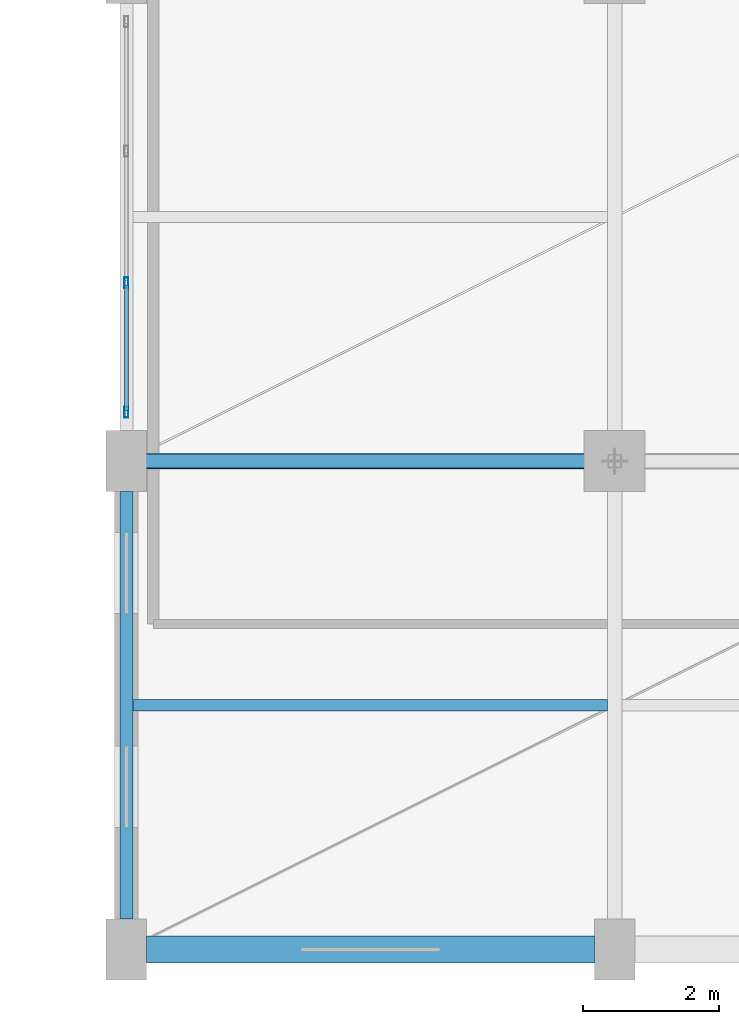
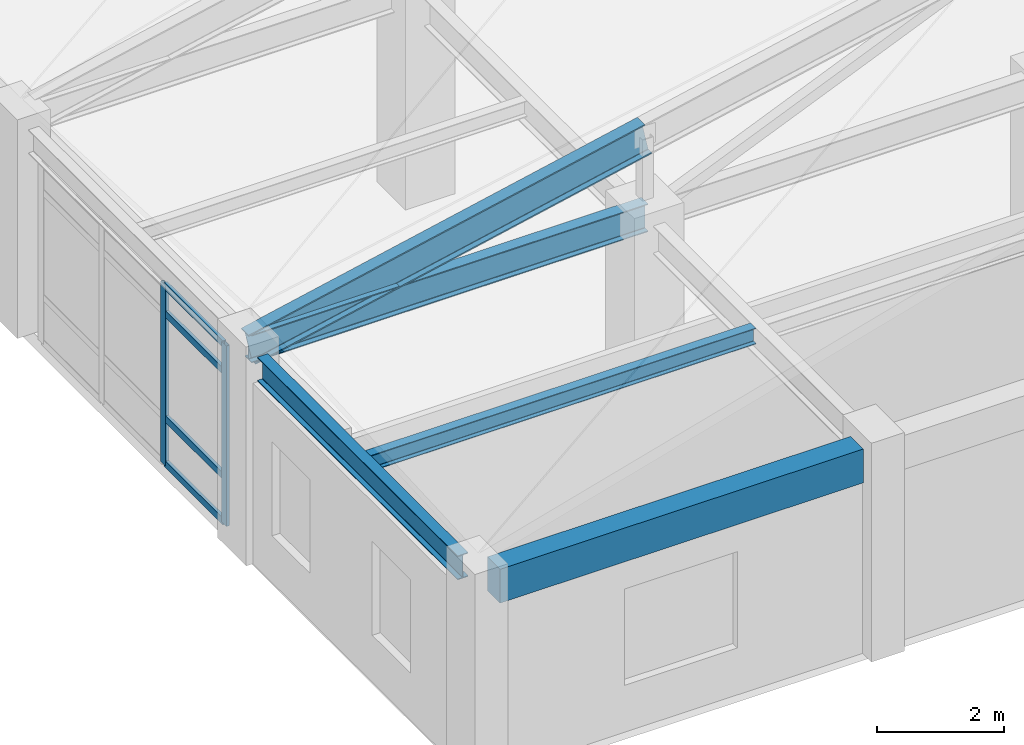
# One storey, part 28 of 113: 7 members, 4 beams, 1 element without a shape of its own.
"""IFC4 building model written with IfcOpenShell, lengths in metres."""

from ifc_helpers import new_model, si_unit, direction, frame, origin, origin_2d, place, context, subcontext, project, spatial, rectangle, hollow_rectangle, i_section, extrude, material, layer, layer_set, material_profile, profile_set, type_object, element, aggregate, save


model = new_model("IFC4")

# Units and contexts
model_context = context("Model", 3, precision=1e-05, world=origin(), true_north=direction((0.0, 1.0)))
body_context = subcontext(model_context, "Body", "Model", "MODEL_VIEW")
ifc_project = project(units=[si_unit("LENGTHUNIT", "METRE"), si_unit("AREAUNIT", "SQUARE_METRE"), si_unit("VOLUMEUNIT", "CUBIC_METRE"), si_unit("PLANEANGLEUNIT", "RADIAN"), si_unit("MASSUNIT", "GRAM", prefix="KILO")], contexts=[model_context])

# Site, building, storey
site_placement = place(None, origin())
site = spatial("IfcSite", under=ifc_project, at=site_placement, CompositionType="ELEMENT")
building_placement = place(site_placement, origin())
building = spatial("IfcBuilding", under=site, at=building_placement, Name="Carrowvane Square Congress Hotel", CompositionType="ELEMENT")
storey_placement = place(building_placement, frame((0.0, 0.0, 15.0)))
storey = spatial("IfcBuildingStorey", under=building, at=storey_placement, Name="L03", CompositionType="ELEMENT", Elevation=15.0)

# Beams
ifc_material_1 = material(Name="Steel S355", Category="steel")
ifc_material_profile_1 = material_profile(ifc_material_1, i_section(OverallWidth=0.165771484375, OverallDepth=0.306640625, WebThickness=0.006591796875, FlangeThickness=0.01171875, FilletRadius=0.0087890625, at=origin_2d()), Name="UKB 305x165x46")
ifc_profile_set_1 = profile_set([ifc_material_profile_1], Name="Steel S355")
beam_type_1 = type_object("IfcBeamType", Name="BM-ST-UKB305", PredefinedType="JOIST", material=ifc_profile_set_1)
beam_1_placement = place(storey_placement, frame((134.095703125, 9.0, 3.78662109375), z_axis=(1.0, 0.0, 0.0), x_axis=(0.0, 1.0, 0.0)))
element("IfcBeam", 1, at=beam_1_placement, inside=storey, type_object=beam_type_1, Name="L04 secondary joist 18-19", PredefinedType="JOIST", context=body_context, shape_type="SweptSolid", body=[
    extrude(i_section(OverallWidth=0.165771484375, OverallDepth=0.306640625, WebThickness=0.006591796875, FlangeThickness=0.01171875, FilletRadius=0.0087890625, at=origin_2d()), origin(), (0.0, 0.0, 1.0), 6.999267578125),
])
ifc_material_2 = material(Name="Steel S355", Category="steel")
ifc_material_profile_2 = material_profile(ifc_material_2, i_section(OverallWidth=0.19140625, OverallDepth=0.4599609375, WebThickness=0.010009765625, FlangeThickness=0.01611328125, FilletRadius=0.01025390625, at=origin_2d()), Name="UKB 457x191x82")
ifc_profile_set_2 = profile_set([ifc_material_profile_2], Name="Steel S355")
beam_type_2 = type_object("IfcBeamType", Name="BM-ST-UKB457", PredefinedType="SPANDREL", material=ifc_profile_set_2)
beam_2_placement = place(storey_placement, frame((134.0, 5.85009765625, 3.7099609375), z_axis=(0.0, 1.0, 0.0), x_axis=(-1.0, 0.0, 0.0)))
element("IfcBeam", 2, at=beam_2_placement, inside=storey, type_object=beam_type_2, Name="L04 girder 18/A-B", PredefinedType="SPANDREL", context=body_context, shape_type="SweptSolid", body=[
    extrude(i_section(OverallWidth=0.19140625, OverallDepth=0.4599609375, WebThickness=0.010009765625, FlangeThickness=0.01611328125, FilletRadius=0.01025390625, at=origin_2d()), origin(), (0.0, 0.0, 1.0), 6.2998046875),
])
ifc_material_3 = material(Name="Steel S355", Category="steel")
ifc_material_profile_3 = material_profile(ifc_material_3, i_section(OverallWidth=0.2099609375, OverallDepth=0.53662109375, WebThickness=0.0107421875, FlangeThickness=0.017333984375, FilletRadius=0.0126953125, at=origin_2d()), Name="UKB 533x210x101")
ifc_profile_set_3 = profile_set([ifc_material_profile_3], Name="Steel S355")
beam_type_3 = type_object("IfcBeamType", Name="BM-ST-UKB533", PredefinedType="USERDEFINED", material=ifc_profile_set_3)
beam_3_placement = place(storey_placement, frame((134.0, 12.60009765625, 3.85009765625), z_axis=(1.0, 0.0, 0.0), x_axis=(0.0, 1.0, 0.0)))
element("IfcBeam", 3, at=beam_3_placement, inside=storey, type_object=beam_type_3, Name="V2 pavilion truss west tie girder 1", ObjectType="GIRDER", PredefinedType="USERDEFINED", context=body_context, shape_type="SweptSolid", body=[
    extrude(i_section(OverallWidth=0.2099609375, OverallDepth=0.53662109375, WebThickness=0.0107421875, FlangeThickness=0.017333984375, FilletRadius=0.0126953125, at=origin_2d()), origin(), (0.0, 0.0, 1.0), 7.199951171875),
])

# Curtain wall, members
ifc_material_4 = material(Name="Anodised aluminium", Category="aluminium")
ifc_layer = layer(ifc_material_4, 0.18603515625)
ifc_layer_set = layer_set([ifc_layer], Name="Anodised aluminium")
curtain_wall_type = type_object("IfcCurtainWallType", Name="CW-SYS-3", PredefinedType="NOTDEFINED", material=ifc_layer_set)
curtain_wall_placement = place(storey_placement, origin())
curtain_wall = element("IfcCurtainWall", 4, at=curtain_wall_placement, inside=storey, type_object=curtain_wall_type, Name="L03 unitised curtain wall 242", PredefinedType="NOTDEFINED")
ifc_material_5 = material(Name="Anodised aluminium", Category="aluminium")
ifc_material_profile_4 = material_profile(ifc_material_5, hollow_rectangle(XDim=0.06005859375, YDim=0.159912109375, WallThickness=0.00390625, at=origin_2d()), Name="CW-ML 60x160x4")
ifc_profile_set_4 = profile_set([ifc_material_profile_4], Name="Anodised aluminium")
member_type_1 = type_object("IfcMemberType", Name="CW-MUL-1", PredefinedType="MULLION", material=ifc_profile_set_4)
member_1_placement = place(storey_placement, frame((134.0, 13.320068359375, 0.0), z_axis=(0.0, 0.0, 1.0), x_axis=(-1.0, 0.0, 0.0)))
member_1 = element("IfcMember", 5, at=member_1_placement, type_object=member_type_1, Name="CW-3 mullion 1", PredefinedType="MULLION", context=body_context, shape_type="SweptSolid", body=[
    extrude(hollow_rectangle(XDim=0.06005859375, YDim=0.159912109375, WallThickness=0.00390625, at=origin_2d()), origin(), (0.0, 0.0, 1.0), 3.465087890625),
])
member_2_placement = place(storey_placement, frame((134.0, 15.22998046875, 0.0), z_axis=(0.0, 0.0, 1.0), x_axis=(-1.0, 0.0, 0.0)))
member_2 = element("IfcMember", 6, at=member_2_placement, type_object=member_type_1, Name="CW-3 mullion 2", PredefinedType="MULLION", context=body_context, shape_type="SweptSolid", body=[
    extrude(hollow_rectangle(XDim=0.06005859375, YDim=0.159912109375, WallThickness=0.00390625, at=origin_2d()), origin(), (0.0, 0.0, 1.0), 3.465087890625),
])
ifc_material_6 = material(Name="Anodised aluminium", Category="aluminium")
ifc_material_profile_5 = material_profile(ifc_material_6, hollow_rectangle(XDim=0.06005859375, YDim=0.1298828125, WallThickness=0.00390625, at=origin_2d()), Name="CW-TR 60x130x4")
ifc_profile_set_5 = profile_set([ifc_material_profile_5], Name="Anodised aluminium")
member_type_2 = type_object("IfcMemberType", Name="CW-TRN-1", PredefinedType="USERDEFINED", material=ifc_profile_set_5)
member_3_placement = place(storey_placement, frame((134.0, 13.35009765625, 0.030029296875), z_axis=(0.0, 1.0, 0.0), x_axis=(-1.0, 0.0, 0.0)))
member_3 = element("IfcMember", 7, at=member_3_placement, type_object=member_type_2, Name="CW-3 transom 1.1", ObjectType="TRANSOM", PredefinedType="USERDEFINED", context=body_context, shape_type="SweptSolid", body=[
    extrude(hollow_rectangle(XDim=0.06005859375, YDim=0.1298828125, WallThickness=0.00390625, at=origin_2d()), origin(), (0.0, 0.0, 1.0), 1.849853515625),
])
member_4_placement = place(storey_placement, frame((134.0, 13.35009765625, 0.89990234375), z_axis=(0.0, 1.0, 0.0), x_axis=(-1.0, 0.0, 0.0)))
member_4 = element("IfcMember", 8, at=member_4_placement, type_object=member_type_2, Name="CW-3 transom 1.2", ObjectType="TRANSOM", PredefinedType="USERDEFINED", context=body_context, shape_type="SweptSolid", body=[
    extrude(hollow_rectangle(XDim=0.06005859375, YDim=0.1298828125, WallThickness=0.00390625, at=origin_2d()), origin(), (0.0, 0.0, 1.0), 1.849853515625),
])
member_5_placement = place(storey_placement, frame((134.0, 13.35009765625, 2.9150390625), z_axis=(0.0, 1.0, 0.0), x_axis=(-1.0, 0.0, 0.0)))
member_5 = element("IfcMember", 9, at=member_5_placement, type_object=member_type_2, Name="CW-3 transom 1.3", ObjectType="TRANSOM", PredefinedType="USERDEFINED", context=body_context, shape_type="SweptSolid", body=[
    extrude(hollow_rectangle(XDim=0.06005859375, YDim=0.1298828125, WallThickness=0.00390625, at=origin_2d()), origin(), (0.0, 0.0, 1.0), 1.849853515625),
])
member_6_placement = place(storey_placement, frame((134.0, 13.35009765625, 3.43505859375), z_axis=(0.0, 1.0, 0.0), x_axis=(-1.0, 0.0, 0.0)))
member_6 = element("IfcMember", 10, at=member_6_placement, type_object=member_type_2, Name="CW-3 transom 1.4", ObjectType="TRANSOM", PredefinedType="USERDEFINED", context=body_context, shape_type="SweptSolid", body=[
    extrude(hollow_rectangle(XDim=0.06005859375, YDim=0.1298828125, WallThickness=0.00390625, at=origin_2d()), origin(), (0.0, 0.0, 1.0), 1.849853515625),
])
aggregate(curtain_wall, [member_1, member_2, member_3, member_4, member_5, member_6])

# Member
ifc_material_7 = material(Name="Steel S355", Category="steel")
ifc_material_profile_6 = material_profile(ifc_material_7, i_section(OverallWidth=0.230224609375, OverallDepth=0.6171875, WebThickness=0.01318359375, FlangeThickness=0.022216796875, FilletRadius=0.0126953125, at=origin_2d()), Name="UKB 610x229x140")
ifc_profile_set_6 = profile_set([ifc_material_profile_6], Name="Steel S355")
member_type_3 = type_object("IfcMemberType", Name="MEM-TC-UKB610", PredefinedType="CHORD", material=ifc_profile_set_6)
member_7_placement = place(storey_placement, frame((134.0, 12.60009765625, 3.840087890625), z_axis=(0.978151010745, 0.0, 0.207895647328), x_axis=(0.0, 1.0, 0.0)))
element("IfcMember", 11, at=member_7_placement, inside=storey, type_object=member_type_3, Name="V2 pavilion truss top chord 1.1", PredefinedType="CHORD", context=body_context, shape_type="SweptSolid", body=[
    extrude(i_section(OverallWidth=0.230224609375, OverallDepth=0.6171875, WebThickness=0.01318359375, FlangeThickness=0.022216796875, FilletRadius=0.0126953125, at=origin_2d()), origin(), (0.0, 0.0, 1.0), 7.36083984375),
])

# Beam
ifc_material_8 = material(Name="Concrete C35/45", Category="concrete")
ifc_material_profile_7 = material_profile(ifc_material_8, rectangle(XDim=0.39990234375, YDim=0.64990234375, at=origin_2d()), Name="RC 400x650")
ifc_profile_set_7 = profile_set([ifc_material_profile_7], Name="Concrete C35/45")
beam_type_4 = type_object("IfcBeamType", Name="SP-RC-400x650", PredefinedType="SPANDREL", material=ifc_profile_set_7)
beam_4_placement = place(storey_placement, frame((134.300048828125, 5.39990234375, 3.614990234375), z_axis=(1.0, 0.0, 0.0), x_axis=(0.0, 1.0, 0.0)))
element("IfcBeam", 12, at=beam_4_placement, inside=storey, type_object=beam_type_4, Name="L04 girder A/18-19", PredefinedType="SPANDREL", context=body_context, shape_type="SweptSolid", body=[
    extrude(rectangle(XDim=0.39990234375, YDim=0.64990234375, at=origin_2d()), origin(), (0.0, 0.0, 1.0), 6.599853515625),
])

save(model, "model.ifc")
